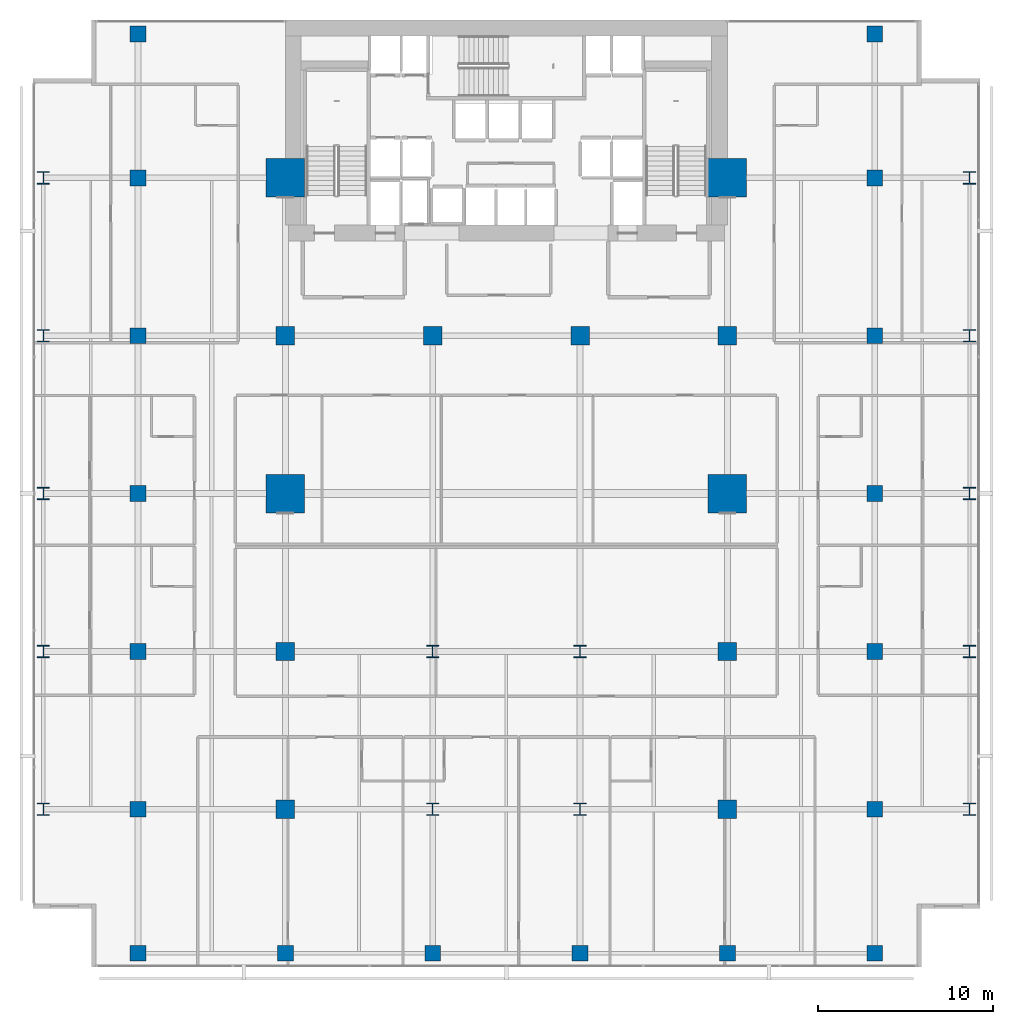
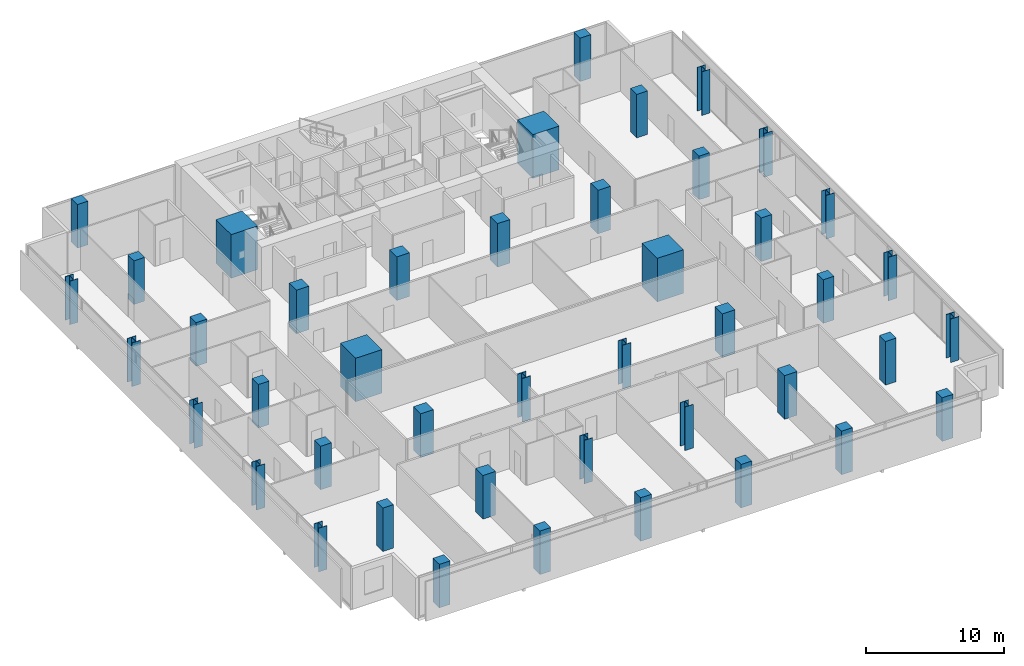
# One storey, part 1 of 39: 44 columns.
"""IFC4 building model written with IfcOpenShell, lengths in metres."""

from ifc_helpers import new_model, si_unit, direction, frame, origin, origin_2d, place, context, subcontext, project, spatial, rectangle, i_section, extrude, material, material_profile, profile_set, type_object, element, save


model = new_model("IFC4")

# Units and contexts
model_context = context("Model", 3, precision=1e-05, world=origin(), true_north=direction((0.0, 1.0)))
body_context = subcontext(model_context, "Body", "Model", "MODEL_VIEW")
ifc_project = project(units=[si_unit("LENGTHUNIT", "METRE"), si_unit("AREAUNIT", "SQUARE_METRE"), si_unit("VOLUMEUNIT", "CUBIC_METRE"), si_unit("PLANEANGLEUNIT", "RADIAN"), si_unit("MASSUNIT", "GRAM", prefix="KILO")], contexts=[model_context])

# Site, building, storey
site_placement = place(None, origin())
site = spatial("IfcSite", under=ifc_project, at=site_placement, CompositionType="ELEMENT")
building_placement = place(site_placement, origin())
building = spatial("IfcBuilding", under=site, at=building_placement, Name="Maruvema Waterfront Hotel and Observation Tower", CompositionType="ELEMENT")
storey_placement = place(building_placement, frame((0.0, 0.0, 65.449951171875)))
storey = spatial("IfcBuildingStorey", under=building, at=storey_placement, Name="L15", CompositionType="ELEMENT", Elevation=65.449951171875)

# Columns
ifc_material_1 = material(Name="Concrete C80/95", Category="concrete")
ifc_material_profile_1 = material_profile(ifc_material_1, rectangle(XDim=2.199951171875, YDim=2.199951171875, at=origin_2d()), Name="MC2200x2200")
ifc_profile_set_1 = profile_set([ifc_material_profile_1], Name="Concrete C80/95")
column_type_1 = type_object("IfcColumnType", Name="Continuous Mega-Column MC2200x2200", PredefinedType="COLUMN", material=ifc_profile_set_1)
for number, where, z_axis, x_axis, name in (
    (1, (25.199951171875, 27.0, 0.0), (0.0, 0.0, 1.0), (1.0, 0.0, 0.0), "L15 Continuous Mega-Column MC-01"),
    (2, (50.39990234375, 27.0, 0.0), (0.0, 0.0, 1.0), (1.0, 0.0, 0.0), "L15 Continuous Mega-Column MC-02"),
    (3, (25.199951171875, 45.0, 0.0), (0.0, 0.0, 1.0), (1.0, 0.0, 0.0), "L15 Continuous Mega-Column MC-03"),
    (4, (50.39990234375, 45.0, 0.0), (0.0, 0.0, 1.0), (1.0, 0.0, 0.0), "L15 Continuous Mega-Column MC-04"),
):
    element("IfcColumn", number, at=place(storey_placement, frame(where, z_axis=z_axis, x_axis=x_axis)), inside=storey, type_object=column_type_1, Name=name, PredefinedType="COLUMN", context=body_context, shape_type="SweptSolid", body=[
        extrude(rectangle(XDim=2.199951171875, YDim=2.199951171875, at=origin_2d()), origin(), (0.0, 0.0, 1.0), 3.85009765625),
    ])
ifc_material_2 = material(Name="Concrete C60/75", Category="concrete")
ifc_material_profile_2 = material_profile(ifc_material_2, rectangle(XDim=1.050048828125, YDim=1.050048828125, at=origin_2d()), Name="RC1050x1050")
ifc_profile_set_2 = profile_set([ifc_material_profile_2], Name="Concrete C60/75")
column_type_2 = type_object("IfcColumnType", Name="Reinforced Concrete Column RC1050x1050", PredefinedType="COLUMN", material=ifc_profile_set_2)
for number, where, z_axis, x_axis, name in (
    (5, (25.199951171875, 36.0, 0.0), (0.0, 0.0, 1.0), (1.0, 0.0, 0.0), "L15 Column C-4E"),
    (6, (33.60009765625, 36.0, 0.0), (0.0, 0.0, 1.0), (1.0, 0.0, 0.0), "L15 Column C-5E"),
    (7, (42.0, 36.0, 0.0), (0.0, 0.0, 1.0), (1.0, 0.0, 0.0), "L15 Column C-6E"),
    (8, (50.39990234375, 36.0, 0.0), (0.0, 0.0, 1.0), (1.0, 0.0, 0.0), "L15 Column C-7E"),
    (9, (25.199951171875, 18.0, 0.0), (0.0, 0.0, 1.0), (1.0, 0.0, 0.0), "L15 Column C-4C"),
    (10, (50.39990234375, 18.0, 0.0), (0.0, 0.0, 1.0), (1.0, 0.0, 0.0), "L15 Column C-7C"),
    (11, (25.199951171875, 9.0, 0.0), (0.0, 0.0, 1.0), (1.0, 0.0, 0.0), "L15 Column C-4B"),
    (12, (50.39990234375, 9.0, 0.0), (0.0, 0.0, 1.0), (1.0, 0.0, 0.0), "L15 Column C-7B"),
):
    element("IfcColumn", number, at=place(storey_placement, frame(where, z_axis=z_axis, x_axis=x_axis)), inside=storey, type_object=column_type_2, Name=name, PredefinedType="COLUMN", context=body_context, shape_type="SweptSolid", body=[
        extrude(rectangle(XDim=1.050048828125, YDim=1.050048828125, at=origin_2d()), origin(), (0.0, 0.0, 1.0), 3.85009765625),
    ])
ifc_material_3 = material(Name="Concrete C60/75", Category="concrete")
ifc_material_profile_3 = material_profile(ifc_material_3, rectangle(XDim=0.89990234375, YDim=0.89990234375, at=origin_2d()), Name="RC900x900")
ifc_profile_set_3 = profile_set([ifc_material_profile_3], Name="Concrete C60/75")
column_type_3 = type_object("IfcColumnType", Name="Reinforced Concrete Column RC900x900", PredefinedType="COLUMN", material=ifc_profile_set_3)
for number, where, z_axis, x_axis, name in (
    (13, (16.800048828125, 9.0, 0.0), (0.0, 0.0, 1.0), (1.0, 0.0, 0.0), "L15 Column C-3Y9"),
    (14, (58.800048828125, 9.0, 0.0), (0.0, 0.0, 1.0), (1.0, 0.0, 0.0), "L15 Column C-8Y9"),
    (15, (16.800048828125, 18.0, 0.0), (0.0, 0.0, 1.0), (1.0, 0.0, 0.0), "L15 Column C-3Y18"),
    (16, (58.800048828125, 18.0, 0.0), (0.0, 0.0, 1.0), (1.0, 0.0, 0.0), "L15 Column C-8Y18"),
    (17, (16.800048828125, 27.0, 0.0), (0.0, 0.0, 1.0), (1.0, 0.0, 0.0), "L15 Column C-3Y27"),
    (18, (58.800048828125, 27.0, 0.0), (0.0, 0.0, 1.0), (1.0, 0.0, 0.0), "L15 Column C-8Y27"),
    (19, (16.800048828125, 36.0, 0.0), (0.0, 0.0, 1.0), (1.0, 0.0, 0.0), "L15 Column C-3Y36"),
    (20, (58.800048828125, 36.0, 0.0), (0.0, 0.0, 1.0), (1.0, 0.0, 0.0), "L15 Column C-8Y36"),
    (21, (16.800048828125, 45.0, 0.0), (0.0, 0.0, 1.0), (1.0, 0.0, 0.0), "L15 Column C-3Y45"),
    (22, (58.800048828125, 45.0, 0.0), (0.0, 0.0, 1.0), (1.0, 0.0, 0.0), "L15 Column C-8Y45"),
    (23, (16.800048828125, 0.800048828125, 0.0), (0.0, 0.0, 1.0), (1.0, 0.0, 0.0), "L15 Column C-3A"),
    (24, (25.199951171875, 0.800048828125, 0.0), (0.0, 0.0, 1.0), (1.0, 0.0, 0.0), "L15 Column C-4A"),
    (25, (33.60009765625, 0.800048828125, 0.0), (0.0, 0.0, 1.0), (1.0, 0.0, 0.0), "L15 Column C-5A"),
    (26, (42.0, 0.800048828125, 0.0), (0.0, 0.0, 1.0), (1.0, 0.0, 0.0), "L15 Column C-6A"),
    (27, (50.39990234375, 0.800048828125, 0.0), (0.0, 0.0, 1.0), (1.0, 0.0, 0.0), "L15 Column C-7A"),
    (28, (58.800048828125, 0.800048828125, 0.0), (0.0, 0.0, 1.0), (1.0, 0.0, 0.0), "L15 Column C-8A"),
    (29, (16.800048828125, 53.199951171875, 0.0), (0.0, 0.0, 1.0), (1.0, 0.0, 0.0), "L15 Column C-3G"),
    (30, (58.800048828125, 53.199951171875, 0.0), (0.0, 0.0, 1.0), (1.0, 0.0, 0.0), "L15 Column C-8G"),
):
    element("IfcColumn", number, at=place(storey_placement, frame(where, z_axis=z_axis, x_axis=x_axis)), inside=storey, type_object=column_type_3, Name=name, PredefinedType="COLUMN", context=body_context, shape_type="SweptSolid", body=[
        extrude(rectangle(XDim=0.89990234375, YDim=0.89990234375, at=origin_2d()), origin(), (0.0, 0.0, 1.0), 3.85009765625),
    ])
ifc_material_4 = material(Name="Steel ABNT NBR 7007 AR 415 (ASTM A572 Grade 50)", Category="steel")
ifc_material_profile_4 = material_profile(ifc_material_4, i_section(OverallWidth=0.699951171875, OverallDepth=0.699951171875, WebThickness=0.028076171875, FlangeThickness=0.0439453125, at=origin_2d()), Name="CVS700x436")
ifc_profile_set_4 = profile_set([ifc_material_profile_4], Name="Steel ABNT NBR 7007 AR 415 (ASTM A572 Grade 50)")
column_type_4 = type_object("IfcColumnType", Name="Structural Steel Column CVS700x436", PredefinedType="COLUMN", material=ifc_profile_set_4)
for number, where, z_axis, x_axis, name in (
    (31, (33.60009765625, 9.0, 0.0), (0.0, 0.0, 1.0), (1.0, 0.0, 0.0), "L15 Column C-5B"),
    (32, (42.0, 9.0, 0.0), (0.0, 0.0, 1.0), (1.0, 0.0, 0.0), "L15 Column C-6B"),
    (33, (33.60009765625, 18.0, 0.0), (0.0, 0.0, 1.0), (1.0, 0.0, 0.0), "L15 Column C-5C"),
    (34, (42.0, 18.0, 0.0), (0.0, 0.0, 1.0), (1.0, 0.0, 0.0), "L15 Column C-6C"),
    (35, (11.39990234375, 9.0, 0.0), (0.0, 0.0, 1.0), (1.0, 0.0, 0.0), "L15 Column C-Z1W9"),
    (36, (64.199951171875, 9.0, 0.0), (0.0, 0.0, 1.0), (1.0, 0.0, 0.0), "L15 Column C-Z1E9"),
    (37, (11.39990234375, 18.0, 0.0), (0.0, 0.0, 1.0), (1.0, 0.0, 0.0), "L15 Column C-Z1W18"),
    (38, (64.199951171875, 18.0, 0.0), (0.0, 0.0, 1.0), (1.0, 0.0, 0.0), "L15 Column C-Z1E18"),
    (39, (11.39990234375, 27.0, 0.0), (0.0, 0.0, 1.0), (1.0, 0.0, 0.0), "L15 Column C-Z1W27"),
    (40, (64.199951171875, 27.0, 0.0), (0.0, 0.0, 1.0), (1.0, 0.0, 0.0), "L15 Column C-Z1E27"),
    (41, (11.39990234375, 36.0, 0.0), (0.0, 0.0, 1.0), (1.0, 0.0, 0.0), "L15 Column C-Z1W36"),
    (42, (64.199951171875, 36.0, 0.0), (0.0, 0.0, 1.0), (1.0, 0.0, 0.0), "L15 Column C-Z1E36"),
    (43, (11.39990234375, 45.0, 0.0), (0.0, 0.0, 1.0), (1.0, 0.0, 0.0), "L15 Column C-Z1W45"),
    (44, (64.199951171875, 45.0, 0.0), (0.0, 0.0, 1.0), (1.0, 0.0, 0.0), "L15 Column C-Z1E45"),
):
    element("IfcColumn", number, at=place(storey_placement, frame(where, z_axis=z_axis, x_axis=x_axis)), inside=storey, type_object=column_type_4, Name=name, PredefinedType="COLUMN", context=body_context, shape_type="SweptSolid", body=[
        extrude(i_section(OverallWidth=0.699951171875, OverallDepth=0.699951171875, WebThickness=0.028076171875, FlangeThickness=0.0439453125, at=origin_2d()), origin(), (0.0, 0.0, 1.0), 3.85009765625),
    ])

save(model, "model.ifc")
